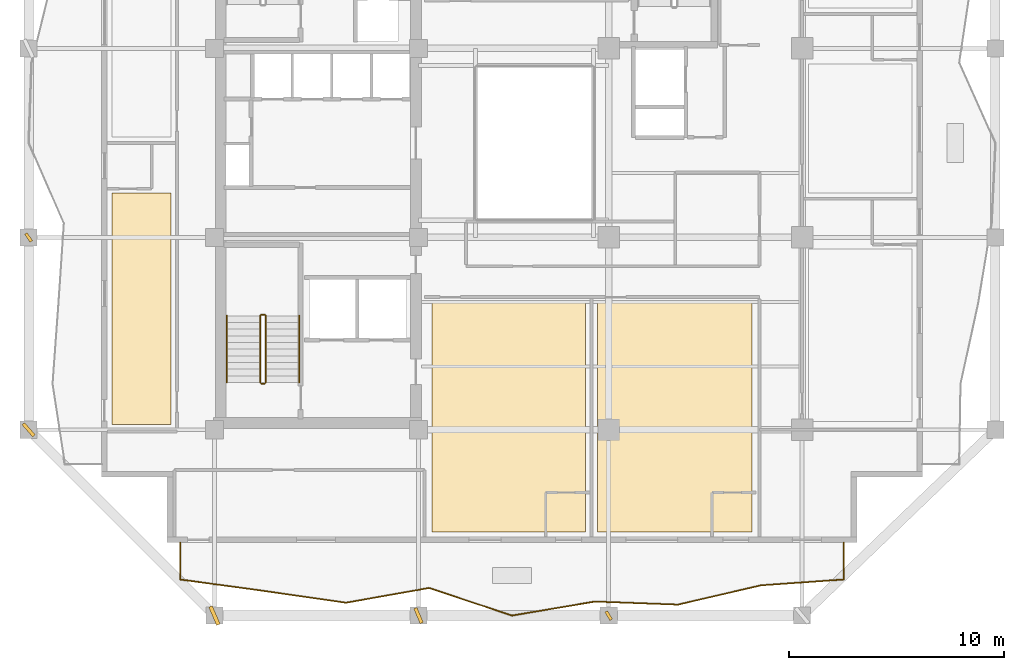
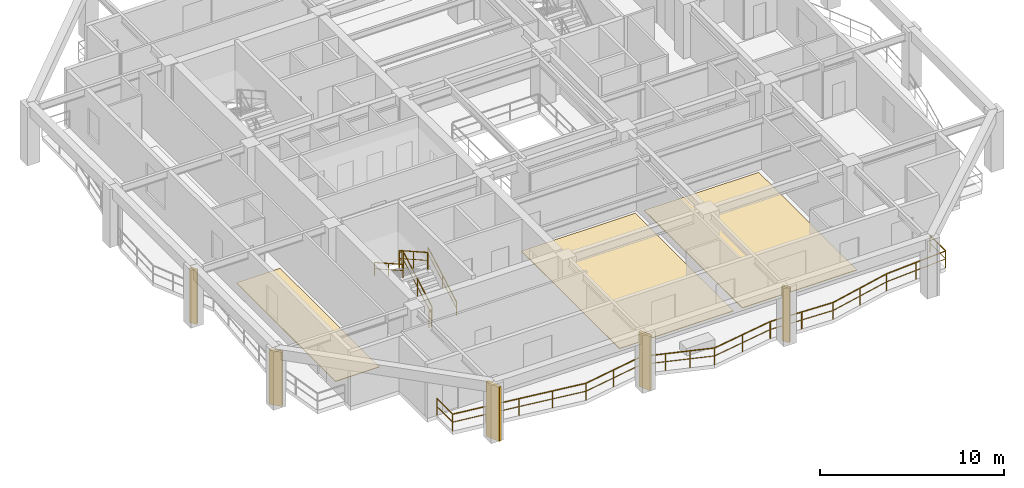
# One storey, part 7 of 10: 7 railings, 5 shading devices, 3 coverings.
"""IFC4 building model written with IfcOpenShell, lengths in metres."""

from ifc_helpers import new_model, si_unit, direction, frame, origin, origin_2d, place, context, subcontext, project, spatial, polyline, rectangle, outline, extrude, material, layer, layer_set, type_object, element, save


model = new_model("IFC4")

# Units and contexts
model_context = context("Model", 3, precision=1e-05, world=origin(), true_north=direction((0.0, 1.0)))
body_context = subcontext(model_context, "Body", "Model", "MODEL_VIEW")
ifc_project = project(units=[si_unit("LENGTHUNIT", "METRE"), si_unit("AREAUNIT", "SQUARE_METRE"), si_unit("VOLUMEUNIT", "CUBIC_METRE"), si_unit("PLANEANGLEUNIT", "RADIAN"), si_unit("MASSUNIT", "GRAM", prefix="KILO")], contexts=[model_context])

# Site, building, storey
site_placement = place(None, origin())
site = spatial("IfcSite", under=ifc_project, at=site_placement, CompositionType="ELEMENT")
building_placement = place(site_placement, origin())
building = spatial("IfcBuilding", under=site, at=building_placement, Name="Kundavana Baori Tower", CompositionType="ELEMENT")
storey_placement = place(building_placement, frame((0.0, 0.0, 115.550048828125)))
storey = spatial("IfcBuildingStorey", under=building, at=storey_placement, Name="L27", CompositionType="ELEMENT", Elevation=115.550048828125)

# Coverings
ifc_material_1 = material(Name="Honed Kota Stone and Terrazzo Flooring", Category="masonry")
ifc_layer = layer(ifc_material_1, 0.0400390625, Name="COV-FLR-TERR-40")
ifc_layer_set = layer_set([ifc_layer], Name="Honed Kota Stone and Terrazzo Flooring")
covering_type = type_object("IfcCoveringType", Name="COV-FLR-TERR-40", PredefinedType="FLOORING", material=ifc_layer_set)
covering_1_placement = place(storey_placement, origin())
element("IfcCovering", 1, at=covering_1_placement, inside=storey, type_object=covering_type, Name="L27 Room Finished Stone Flooring 1", PredefinedType="FLOORING", context=body_context, shape_type="SweptSolid", body=[
    extrude(outline(polyline([(10.679931640625, 15.5), (13.419921875, 15.5), (13.419921875, 26.27001953125), (10.679931640625, 26.27001953125), (10.679931640625, 15.5)])), origin(), (0.0, 0.0, 1.0), 0.0400390625),
])
covering_2_placement = place(storey_placement, origin())
element("IfcCovering", 2, at=covering_2_placement, inside=storey, type_object=covering_type, Name="L27 Room Finished Stone Flooring 3", PredefinedType="FLOORING", context=body_context, shape_type="SweptSolid", body=[
    extrude(outline(polyline([(25.580078125, 10.47998046875), (32.719970703125, 10.47998046875), (32.719970703125, 21.139892578125), (25.580078125, 21.139892578125), (25.580078125, 10.47998046875)])), origin(), (0.0, 0.0, 1.0), 0.0400390625),
])
covering_3_placement = place(storey_placement, origin())
element("IfcCovering", 3, at=covering_3_placement, inside=storey, type_object=covering_type, Name="L27 Room Finished Stone Flooring 4", PredefinedType="FLOORING", context=body_context, shape_type="SweptSolid", body=[
    extrude(outline(polyline([(33.280029296875, 10.47998046875), (40.4599609375, 10.47998046875), (40.4599609375, 21.139892578125), (33.280029296875, 21.139892578125), (33.280029296875, 10.47998046875)])), origin(), (0.0, 0.0, 1.0), 0.0400390625),
])

# Railings
ifc_material_2 = material(Name="Architectural Patinated Bronze Metalwork")
railing_type_1 = type_object("IfcRailingType", Name="RL-BAL-1150", PredefinedType="BALUSTRADE", material=ifc_material_2)
railing_1_placement = place(storey_placement, frame((44.75, 10.0, 0.0)))
element("IfcRailing", 4, at=railing_1_placement, inside=storey, type_object=railing_type_1, Name="L27 Loggia Balcony Balustrade S", PredefinedType="BALUSTRADE", context=body_context, shape_type="SweptSolid", body=[
    extrude(rectangle(XDim=0.048095703125, YDim=0.048095703125, at=origin_2d()), frame((0.0, 0.0, 1.1259765625), z_axis=(0.0, -1.0, 0.0), x_axis=(1.0, 0.0, 0.0)), (0.0, 0.0, 1.0), 1.719970703125),
    extrude(rectangle(XDim=0.03125, YDim=0.03125, at=origin_2d()), frame((0.0, 0.0, 0.597900390625), z_axis=(0.0, -1.0, 0.0), x_axis=(1.0, 0.0, 0.0)), (0.0, 0.0, 1.0), 1.719970703125),
    extrude(rectangle(XDim=0.048095703125, YDim=0.048095703125, at=origin_2d()), frame((0.0, -1.719970703125, 1.1259765625), z_axis=(-0.99749536727, -0.070731833538, 0.0), x_axis=(0.070731833538, -0.99749536727, 0.0)), (0.0, 0.0, 1.0), 3.872802734375),
    extrude(rectangle(XDim=0.03125, YDim=0.03125, at=origin_2d()), frame((0.0, -1.719970703125, 0.597900390625), z_axis=(-0.99749536727, -0.070731833538, 0.0), x_axis=(0.070731833538, -0.99749536727, 0.0)), (0.0, 0.0, 1.0), 3.872802734375),
    extrude(rectangle(XDim=0.048095703125, YDim=0.048095703125, at=origin_2d()), frame((-3.863037109375, -1.993896484375, 1.1259765625), z_axis=(-0.97406013018, -0.226289334244, 0.0), x_axis=(0.226289334244, -0.97406013018, 0.0)), (0.0, 0.0, 1.0), 3.96484375),
    extrude(rectangle(XDim=0.03125, YDim=0.03125, at=origin_2d()), frame((-3.863037109375, -1.993896484375, 0.597900390625), z_axis=(-0.97406013018, -0.226289334244, 0.0), x_axis=(0.226289334244, -0.97406013018, 0.0)), (0.0, 0.0, 1.0), 3.96484375),
    extrude(rectangle(XDim=0.048095703125, YDim=0.048095703125, at=origin_2d()), frame((-7.72509765625, -2.89111328125, 1.1259765625), z_axis=(-0.999314487554, 0.037021007062, 0.0), x_axis=(-0.037021007062, -0.999314487554, 0.0)), (0.0, 0.0, 1.0), 3.864501953125),
    extrude(rectangle(XDim=0.03125, YDim=0.03125, at=origin_2d()), frame((-7.72509765625, -2.89111328125, 0.597900390625), z_axis=(-0.999314487554, 0.037021007062, 0.0), x_axis=(-0.037021007062, -0.999314487554, 0.0)), (0.0, 0.0, 1.0), 3.864501953125),
    extrude(rectangle(XDim=0.048095703125, YDim=0.048095703125, at=origin_2d()), frame((-11.5869140625, -2.748046875, 1.1259765625), z_axis=(-0.986060112778, -0.166389464774, 0.0), x_axis=(0.166389464774, -0.986060112778, 0.0)), (0.0, 0.0, 1.0), 3.917724609375),
    extrude(rectangle(XDim=0.03125, YDim=0.03125, at=origin_2d()), frame((-11.5869140625, -2.748046875, 0.597900390625), z_axis=(-0.986060112778, -0.166389464774, 0.0), x_axis=(0.166389464774, -0.986060112778, 0.0)), (0.0, 0.0, 1.0), 3.917724609375),
    extrude(rectangle(XDim=0.048095703125, YDim=0.048095703125, at=origin_2d()), frame((-15.449951171875, -3.39990234375, 1.1259765625), z_axis=(-0.948934942511, 0.315471828982, 0.0), x_axis=(-0.315471828982, -0.948934942511, 0.0)), (0.0, 0.0, 1.0), 4.06982421875),
    extrude(rectangle(XDim=0.03125, YDim=0.03125, at=origin_2d()), frame((-15.449951171875, -3.39990234375, 0.597900390625), z_axis=(-0.948934942511, 0.315471828982, 0.0), x_axis=(-0.315471828982, -0.948934942511, 0.0)), (0.0, 0.0, 1.0), 4.06982421875),
    extrude(rectangle(XDim=0.048095703125, YDim=0.048095703125, at=origin_2d()), frame((-19.31201171875, -2.115966796875, 1.1259765625), z_axis=(-0.984551544632, -0.175094991253, 0.0), x_axis=(0.175094991253, -0.984551544632, 0.0)), (0.0, 0.0, 1.0), 3.923583984375),
    extrude(rectangle(XDim=0.03125, YDim=0.03125, at=origin_2d()), frame((-19.31201171875, -2.115966796875, 0.597900390625), z_axis=(-0.984551544632, -0.175094991253, 0.0), x_axis=(0.175094991253, -0.984551544632, 0.0)), (0.0, 0.0, 1.0), 3.923583984375),
    extrude(rectangle(XDim=0.048095703125, YDim=0.048095703125, at=origin_2d()), frame((-23.175048828125, -2.802978515625, 1.1259765625), z_axis=(-0.989803845381, 0.142437170949, 0.0), x_axis=(-0.142437170949, -0.989803845381, 0.0)), (0.0, 0.0, 1.0), 3.90283203125),
    extrude(rectangle(XDim=0.03125, YDim=0.03125, at=origin_2d()), frame((-23.175048828125, -2.802978515625, 0.597900390625), z_axis=(-0.989803845381, 0.142437170949, 0.0), x_axis=(-0.142437170949, -0.989803845381, 0.0)), (0.0, 0.0, 1.0), 3.90283203125),
    extrude(rectangle(XDim=0.048095703125, YDim=0.048095703125, at=origin_2d()), frame((-27.0380859375, -2.2470703125, 1.1259765625), z_axis=(-0.990813389089, 0.13523619339, 0.0), x_axis=(-0.13523619339, -0.990813389089, 0.0)), (0.0, 0.0, 1.0), 3.897705078125),
    extrude(rectangle(XDim=0.03125, YDim=0.03125, at=origin_2d()), frame((-27.0380859375, -2.2470703125, 0.597900390625), z_axis=(-0.990813389089, 0.13523619339, 0.0), x_axis=(-0.13523619339, -0.990813389089, 0.0)), (0.0, 0.0, 1.0), 3.897705078125),
    extrude(rectangle(XDim=0.048095703125, YDim=0.048095703125, at=origin_2d()), frame((-30.89990234375, -1.719970703125, 1.1259765625), z_axis=(0.0, 1.0, 0.0), x_axis=(-1.0, 0.0, 0.0)), (0.0, 0.0, 1.0), 1.719970703125),
    extrude(rectangle(XDim=0.03125, YDim=0.03125, at=origin_2d()), frame((-30.89990234375, -1.719970703125, 0.597900390625), z_axis=(0.0, 1.0, 0.0), x_axis=(-1.0, 0.0, 0.0)), (0.0, 0.0, 1.0), 1.719970703125),
    extrude(rectangle(XDim=0.0419921875, YDim=0.0419921875, at=origin_2d()), origin(), (0.0, 0.0, 1.0), 1.101806640625),
    extrude(rectangle(XDim=0.0419921875, YDim=0.0419921875, at=origin_2d()), frame((0.0, -1.719970703125, 0.0)), (0.0, 0.0, 1.0), 1.101806640625),
    extrude(rectangle(XDim=0.0419921875, YDim=0.0419921875, at=origin_2d()), frame((-1.931640625, -1.85693359375, 0.0)), (0.0, 0.0, 1.0), 1.101806640625),
    extrude(rectangle(XDim=0.0419921875, YDim=0.0419921875, at=origin_2d()), frame((-3.863037109375, -1.993896484375, 0.0)), (0.0, 0.0, 1.0), 1.101806640625),
    extrude(rectangle(XDim=0.0419921875, YDim=0.0419921875, at=origin_2d()), frame((-5.7939453125, -2.4423828125, 0.0)), (0.0, 0.0, 1.0), 1.101806640625),
    extrude(rectangle(XDim=0.0419921875, YDim=0.0419921875, at=origin_2d()), frame((-7.72509765625, -2.89111328125, 0.0)), (0.0, 0.0, 1.0), 1.101806640625),
    extrude(rectangle(XDim=0.0419921875, YDim=0.0419921875, at=origin_2d()), frame((-9.656005859375, -2.819580078125, 0.0)), (0.0, 0.0, 1.0), 1.101806640625),
    extrude(rectangle(XDim=0.0419921875, YDim=0.0419921875, at=origin_2d()), frame((-11.5869140625, -2.748046875, 0.0)), (0.0, 0.0, 1.0), 1.101806640625),
    extrude(rectangle(XDim=0.0419921875, YDim=0.0419921875, at=origin_2d()), frame((-13.5185546875, -3.073974609375, 0.0)), (0.0, 0.0, 1.0), 1.101806640625),
    extrude(rectangle(XDim=0.0419921875, YDim=0.0419921875, at=origin_2d()), frame((-15.449951171875, -3.39990234375, 0.0)), (0.0, 0.0, 1.0), 1.101806640625),
    extrude(rectangle(XDim=0.0419921875, YDim=0.0419921875, at=origin_2d()), frame((-16.7373046875, -2.971923828125, 0.0)), (0.0, 0.0, 1.0), 1.101806640625),
    extrude(rectangle(XDim=0.0419921875, YDim=0.0419921875, at=origin_2d()), frame((-18.024658203125, -2.5439453125, 0.0)), (0.0, 0.0, 1.0), 1.101806640625),
    extrude(rectangle(XDim=0.0419921875, YDim=0.0419921875, at=origin_2d()), frame((-19.31201171875, -2.115966796875, 0.0)), (0.0, 0.0, 1.0), 1.101806640625),
    extrude(rectangle(XDim=0.0419921875, YDim=0.0419921875, at=origin_2d()), frame((-21.24365234375, -2.45947265625, 0.0)), (0.0, 0.0, 1.0), 1.101806640625),
    extrude(rectangle(XDim=0.0419921875, YDim=0.0419921875, at=origin_2d()), frame((-23.175048828125, -2.802978515625, 0.0)), (0.0, 0.0, 1.0), 1.101806640625),
    extrude(rectangle(XDim=0.0419921875, YDim=0.0419921875, at=origin_2d()), frame((-25.1064453125, -2.52490234375, 0.0)), (0.0, 0.0, 1.0), 1.101806640625),
    extrude(rectangle(XDim=0.0419921875, YDim=0.0419921875, at=origin_2d()), frame((-27.0380859375, -2.2470703125, 0.0)), (0.0, 0.0, 1.0), 1.101806640625),
    extrude(rectangle(XDim=0.0419921875, YDim=0.0419921875, at=origin_2d()), frame((-28.968994140625, -1.9833984375, 0.0)), (0.0, 0.0, 1.0), 1.101806640625),
    extrude(rectangle(XDim=0.0419921875, YDim=0.0419921875, at=origin_2d()), frame((-30.89990234375, -1.719970703125, 0.0)), (0.0, 0.0, 1.0), 1.101806640625),
    extrude(rectangle(XDim=0.0419921875, YDim=0.0419921875, at=origin_2d()), frame((-30.89990234375, 0.0, 0.0)), (0.0, 0.0, 1.0), 1.101806640625),
])
ifc_material_3 = material(Name="Architectural Patinated Bronze Metalwork")
railing_type_2 = type_object("IfcRailingType", Name="RL-GRD-1150", PredefinedType="GUARDRAIL", material=ifc_material_3)
railing_2_placement = place(storey_placement, frame((17.840087890625, 17.449951171875, 0.175048828125)))
element("IfcRailing", 5, at=railing_2_placement, inside=storey, type_object=railing_type_2, Name="L27 ST1 stair guard 1", PredefinedType="GUARDRAIL", context=body_context, shape_type="SweptSolid", body=[
    extrude(rectangle(XDim=0.048095703125, YDim=0.048095703125, at=origin_2d()), frame((0.0, 0.0, 1.1259765625), z_axis=(0.0, 0.870830938388, 0.491582624537), x_axis=(-1.0, 0.0, 0.0)), (0.0, 0.0, 1.0), 3.559814453125),
    extrude(rectangle(XDim=0.03125, YDim=0.03125, at=origin_2d()), frame((0.0, 0.0, 0.597900390625), z_axis=(0.0, 0.870830938388, 0.491582624537), x_axis=(-1.0, 0.0, 0.0)), (0.0, 0.0, 1.0), 3.559814453125),
    extrude(rectangle(XDim=0.0419921875, YDim=0.0419921875, at=origin_2d()), origin(), (0.0, 0.0, 1.0), 1.101806640625),
    extrude(rectangle(XDim=0.0419921875, YDim=0.0419921875, at=origin_2d()), frame((0.0, 1.550048828125, 0.875)), (0.0, 0.0, 1.0), 1.101806640625),
    extrude(rectangle(XDim=0.0419921875, YDim=0.0419921875, at=origin_2d()), frame((0.0, 3.10009765625, 1.75)), (0.0, 0.0, 1.0), 1.101806640625),
])
railing_3_placement = place(storey_placement, frame((17.7900390625, 20.60009765625, 1.925048828125)))
element("IfcRailing", 6, at=railing_3_placement, inside=storey, type_object=railing_type_2, Name="L27 ST1 stair guard 2", PredefinedType="GUARDRAIL", context=body_context, shape_type="SweptSolid", body=[
    extrude(rectangle(XDim=0.048095703125, YDim=0.048095703125, at=origin_2d()), frame((0.0, 0.0, 1.1259765625), z_axis=(-1.0, 0.0, 0.0), x_axis=(0.0, -1.0, 0.0)), (0.0, 0.0, 1.0), 0.16015625),
    extrude(rectangle(XDim=0.03125, YDim=0.03125, at=origin_2d()), frame((0.0, 0.0, 0.597900390625), z_axis=(-1.0, 0.0, 0.0), x_axis=(0.0, -1.0, 0.0)), (0.0, 0.0, 1.0), 0.16015625),
    extrude(rectangle(XDim=0.0419921875, YDim=0.0419921875, at=origin_2d()), origin(), (0.0, 0.0, 1.0), 1.101806640625),
    extrude(rectangle(XDim=0.0419921875, YDim=0.0419921875, at=origin_2d()), frame((-0.16015625, 0.0, 0.0)), (0.0, 0.0, 1.0), 1.101806640625),
])
railing_4_placement = place(storey_placement, frame((17.580078125, 20.550048828125, 2.099853515625)))
element("IfcRailing", 7, at=railing_4_placement, inside=storey, type_object=railing_type_2, Name="L27 ST1 stair guard 3", PredefinedType="GUARDRAIL", context=body_context, shape_type="SweptSolid", body=[
    extrude(rectangle(XDim=0.048095703125, YDim=0.048095703125, at=origin_2d()), frame((0.0, 0.0, 1.1259765625), z_axis=(0.0, -0.870830938388, 0.491582624537), x_axis=(1.0, 0.0, 0.0)), (0.0, 0.0, 1.0), 3.559814453125),
    extrude(rectangle(XDim=0.03125, YDim=0.03125, at=origin_2d()), frame((0.0, 0.0, 0.597900390625), z_axis=(0.0, -0.870830938388, 0.491582624537), x_axis=(1.0, 0.0, 0.0)), (0.0, 0.0, 1.0), 3.559814453125),
    extrude(rectangle(XDim=0.0419921875, YDim=0.0419921875, at=origin_2d()), origin(), (0.0, 0.0, 1.0), 1.101806640625),
    extrude(rectangle(XDim=0.0419921875, YDim=0.0419921875, at=origin_2d()), frame((0.0, -1.550048828125, 0.875)), (0.0, 0.0, 1.0), 1.101806640625),
    extrude(rectangle(XDim=0.0419921875, YDim=0.0419921875, at=origin_2d()), frame((0.0, -3.10009765625, 1.75)), (0.0, 0.0, 1.0), 1.101806640625),
])
railing_5_placement = place(storey_placement, frame((17.7900390625, 17.39990234375, 0.0)))
element("IfcRailing", 8, at=railing_5_placement, inside=storey, type_object=railing_type_2, Name="L27 ST1 stair guard 4", PredefinedType="GUARDRAIL", context=body_context, shape_type="SweptSolid", body=[
    extrude(rectangle(XDim=0.048095703125, YDim=0.048095703125, at=origin_2d()), frame((0.0, 0.0, 1.1259765625), z_axis=(-1.0, 0.0, 0.0), x_axis=(0.0, -1.0, 0.0)), (0.0, 0.0, 1.0), 0.16015625),
    extrude(rectangle(XDim=0.03125, YDim=0.03125, at=origin_2d()), frame((0.0, 0.0, 0.597900390625), z_axis=(-1.0, 0.0, 0.0), x_axis=(0.0, -1.0, 0.0)), (0.0, 0.0, 1.0), 0.16015625),
    extrude(rectangle(XDim=0.0419921875, YDim=0.0419921875, at=origin_2d()), origin(), (0.0, 0.0, 1.0), 1.101806640625),
    extrude(rectangle(XDim=0.0419921875, YDim=0.0419921875, at=origin_2d()), frame((-0.16015625, 0.0, 0.0)), (0.0, 0.0, 1.0), 1.101806640625),
])
ifc_material_4 = material(Name="Architectural Patinated Bronze Metalwork")
railing_type_3 = type_object("IfcRailingType", Name="RL-HND-920", PredefinedType="HANDRAIL", material=ifc_material_4)
railing_6_placement = place(storey_placement, frame((19.389892578125, 17.449951171875, 0.175048828125)))
element("IfcRailing", 9, at=railing_6_placement, inside=storey, type_object=railing_type_3, Name="L27 ST1 stair handrail 1", PredefinedType="HANDRAIL", context=body_context, shape_type="SweptSolid", body=[
    extrude(rectangle(XDim=0.048095703125, YDim=0.048095703125, at=origin_2d()), frame((0.0, 0.0, 0.8759765625), z_axis=(0.0, 0.870830938388, 0.491582624537), x_axis=(-1.0, 0.0, 0.0)), (0.0, 0.0, 1.0), 3.559814453125),
    extrude(rectangle(XDim=0.03125, YDim=0.03125, at=origin_2d()), frame((0.0, 0.0, 0.468017578125), z_axis=(0.0, 0.870830938388, 0.491582624537), x_axis=(-1.0, 0.0, 0.0)), (0.0, 0.0, 1.0), 3.559814453125),
    extrude(rectangle(XDim=0.0419921875, YDim=0.0419921875, at=origin_2d()), origin(), (0.0, 0.0, 1.0), 0.851806640625),
    extrude(rectangle(XDim=0.0419921875, YDim=0.0419921875, at=origin_2d()), frame((0.0, 1.550048828125, 0.875)), (0.0, 0.0, 1.0), 0.851806640625),
    extrude(rectangle(XDim=0.0419921875, YDim=0.0419921875, at=origin_2d()), frame((0.0, 3.10009765625, 1.75)), (0.0, 0.0, 1.0), 0.851806640625),
])
railing_7_placement = place(storey_placement, frame((16.030029296875, 20.550048828125, 2.099853515625)))
element("IfcRailing", 10, at=railing_7_placement, inside=storey, type_object=railing_type_3, Name="L27 ST1 stair handrail 2", PredefinedType="HANDRAIL", context=body_context, shape_type="SweptSolid", body=[
    extrude(rectangle(XDim=0.048095703125, YDim=0.048095703125, at=origin_2d()), frame((0.0, 0.0, 0.8759765625), z_axis=(0.0, -0.870830938388, 0.491582624537), x_axis=(1.0, 0.0, 0.0)), (0.0, 0.0, 1.0), 3.559814453125),
    extrude(rectangle(XDim=0.03125, YDim=0.03125, at=origin_2d()), frame((0.0, 0.0, 0.468017578125), z_axis=(0.0, -0.870830938388, 0.491582624537), x_axis=(1.0, 0.0, 0.0)), (0.0, 0.0, 1.0), 3.559814453125),
    extrude(rectangle(XDim=0.0419921875, YDim=0.0419921875, at=origin_2d()), origin(), (0.0, 0.0, 1.0), 0.851806640625),
    extrude(rectangle(XDim=0.0419921875, YDim=0.0419921875, at=origin_2d()), frame((0.0, -1.550048828125, 0.875)), (0.0, 0.0, 1.0), 0.851806640625),
    extrude(rectangle(XDim=0.0419921875, YDim=0.0419921875, at=origin_2d()), frame((0.0, -3.10009765625, 1.75)), (0.0, 0.0, 1.0), 0.851806640625),
])

# Shading devices
ifc_material_5 = material(Name="Red-Buff Dholpur Sandstone Cladding on Concrete C40/50", Category="masonry")
shading_device_type_1 = type_object("IfcShadingDeviceType", Name="SHD-FIN-750", PredefinedType="JALOUSIE", material=ifc_material_5)
for number, where, z_axis, x_axis, name in (
    (11, (24.949951171875, 6.60009765625, 0.0), (0.0, 0.0, 1.0), (0.920436643986, 0.390891780942, 0.0), "L27 Sweeping Dholpur Sandstone Facade Fin 2"),
    (12, (6.800048828125, 15.25, 0.0), (0.0, 0.0, 1.0), (0.748840060367, 0.662750755556, 0.0), "L27 Sweeping Dholpur Sandstone Facade Fin 5"),
):
    element("IfcShadingDevice", number, at=place(storey_placement, frame(where, z_axis=z_axis, x_axis=x_axis)), inside=storey, type_object=shading_device_type_1, Name=name, PredefinedType="JALOUSIE", context=body_context, shape_type="SweptSolid", body=[
        extrude(rectangle(XDim=0.159912109375, YDim=0.75, at=origin_2d()), origin(), (0.0, 0.0, 1.0), 3.60009765625),
    ])
ifc_material_6 = material(Name="Red-Buff Dholpur Sandstone Cladding on Concrete C40/50", Category="masonry")
shading_device_type_2 = type_object("IfcShadingDeviceType", Name="SHD-FIN-920", PredefinedType="JALOUSIE", material=ifc_material_6)
shading_device_placement = place(storey_placement, frame((15.449951171875, 6.60009765625, 0.0), z_axis=(0.0, 0.0, 1.0), x_axis=(0.917407699357, 0.397948631308, 0.0)))
element("IfcShadingDevice", 13, at=shading_device_placement, inside=storey, type_object=shading_device_type_2, Name="L27 Sweeping Dholpur Sandstone Facade Fin 1", PredefinedType="JALOUSIE", context=body_context, shape_type="SweptSolid", body=[
    extrude(rectangle(XDim=0.179931640625, YDim=0.919921875, at=origin_2d()), origin(), (0.0, 0.0, 1.0), 3.60009765625),
])
ifc_material_7 = material(Name="Architectural Patinated Bronze Metalwork")
shading_device_type_3 = type_object("IfcShadingDeviceType", Name="SHD-LOUV-450", PredefinedType="SHUTTER", material=ifc_material_7)
for number, where, z_axis, x_axis, name in (
    (14, (33.800048828125, 6.60009765625, 0.0), (0.0, 0.0, 1.0), (0.85860221428, 0.512642407174, 0.0), "L27 Sweeping Dholpur Sandstone Facade Fin 3"),
    (15, (6.800048828125, 24.199951171875, 0.0), (0.0, 0.0, 1.0), (0.823631592194, 0.567125206934, 0.0), "L27 Sweeping Dholpur Sandstone Facade Fin 6"),
):
    element("IfcShadingDevice", number, at=place(storey_placement, frame(where, z_axis=z_axis, x_axis=x_axis)), inside=storey, type_object=shading_device_type_3, Name=name, PredefinedType="SHUTTER", context=body_context, shape_type="SweptSolid", body=[
        extrude(rectangle(XDim=0.139892578125, YDim=0.449951171875, at=origin_2d()), origin(), (0.0, 0.0, 1.0), 3.60009765625),
    ])

save(model, "model.ifc")
